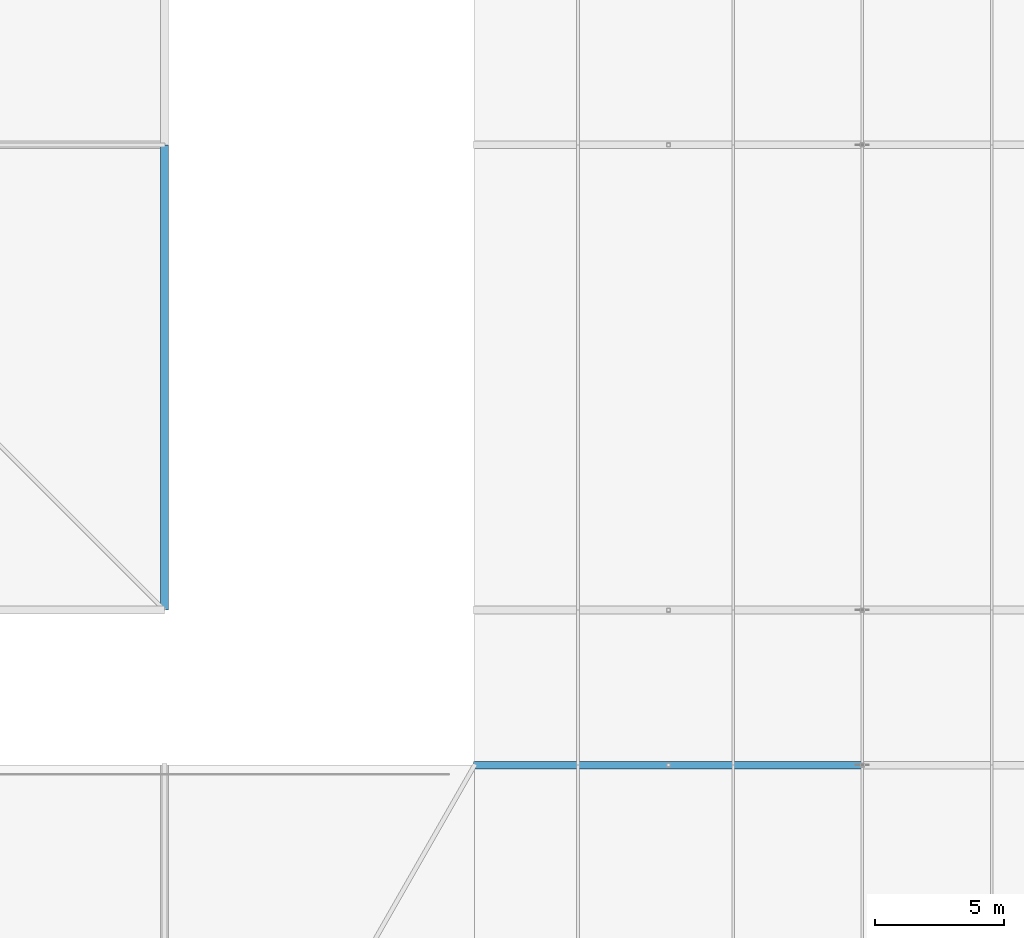
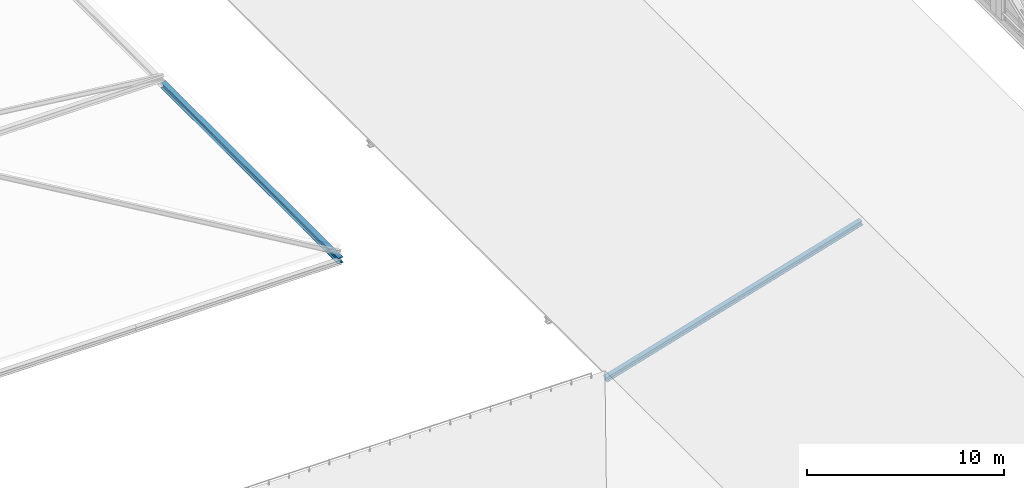
# One storey, part 54 of 204: 1 beam, 1 member.
"""IFC4 building model written with IfcOpenShell, lengths in metres."""

from ifc_helpers import new_model, si_unit, direction, frame, origin, origin_2d, place, context, subcontext, project, spatial, i_section, extrude, material, material_profile, profile_set, type_object, element, save


model = new_model("IFC4")

# Units and contexts
model_context = context("Model", 3, precision=1e-05, world=origin(), true_north=direction((0.0, 1.0)))
body_context = subcontext(model_context, "Body", "Model", "MODEL_VIEW")
ifc_project = project(units=[si_unit("LENGTHUNIT", "METRE"), si_unit("AREAUNIT", "SQUARE_METRE"), si_unit("VOLUMEUNIT", "CUBIC_METRE"), si_unit("PLANEANGLEUNIT", "RADIAN"), si_unit("MASSUNIT", "GRAM", prefix="KILO")], contexts=[model_context])

# Site, building, storey
site_placement = place(None, origin())
site = spatial("IfcSite", under=ifc_project, at=site_placement, CompositionType="ELEMENT")
building_placement = place(site_placement, origin())
building = spatial("IfcBuilding", under=site, at=building_placement, Name="Zilviju Railside Exhibition Hall", CompositionType="ELEMENT")
storey_placement = place(building_placement, frame((0.0, 0.0, 21.0)))
storey = spatial("IfcBuildingStorey", under=building, at=storey_placement, Name="RF", CompositionType="ELEMENT", Elevation=21.0)

# Beam
ifc_material = material(Name="Steel S355J2", Category="steel")
ifc_material_profile_1 = material_profile(ifc_material, i_section(OverallWidth=0.300048828125, OverallDepth=0.35009765625, WebThickness=0.010009765625, FlangeThickness=0.017578125, at=origin_2d()), Name="HEA 360")
ifc_profile_set_1 = profile_set([ifc_material_profile_1], Name="Steel S355J2")
beam_type = type_object("IfcBeamType", Name="BM-HEA360", PredefinedType="BEAM", material=ifc_profile_set_1)
beam_placement = place(storey_placement, frame((36.0, 84.0, -0.5), z_axis=(0.0, 1.0, 0.0), x_axis=(-1.0, 0.0, 0.0)))
element("IfcBeam", 1, at=beam_placement, inside=storey, type_object=beam_type, Name="Directorate Eave Beam X=36.0", PredefinedType="BEAM", context=body_context, shape_type="SweptSolid", body=[
    extrude(i_section(OverallWidth=0.300048828125, OverallDepth=0.35009765625, WebThickness=0.010009765625, FlangeThickness=0.017578125, at=origin_2d()), origin(), (0.0, 0.0, 1.0), 18.0),
])

# Member
ifc_material_profile_2 = material_profile(ifc_material, i_section(OverallWidth=0.300048828125, OverallDepth=0.2900390625, WebThickness=0.008544921875, FlangeThickness=0.013916015625, at=origin_2d()), Name="HEA 300")
ifc_profile_set_2 = profile_set([ifc_material_profile_2], Name="Steel S355J2")
member_type = type_object("IfcMemberType", Name="TR-RAF-HEA300", PredefinedType="RAFTER", material=ifc_profile_set_2)
member_placement = place(storey_placement, frame((48.0, 78.0, -8.39990234375), z_axis=(0.957826285221, 0.0, 0.287347885566), x_axis=(0.0, 1.0, 0.0)))
element("IfcMember", 2, at=member_placement, inside=storey, type_object=member_type, Name="Concourse Saddle West Rafter Y=78.0", PredefinedType="RAFTER", context=body_context, shape_type="SweptSolid", body=[
    extrude(i_section(OverallWidth=0.300048828125, OverallDepth=0.2900390625, WebThickness=0.008544921875, FlangeThickness=0.013916015625, at=origin_2d()), origin(), (0.0, 0.0, 1.0), 15.660400390625),
])

save(model, "model.ifc")
